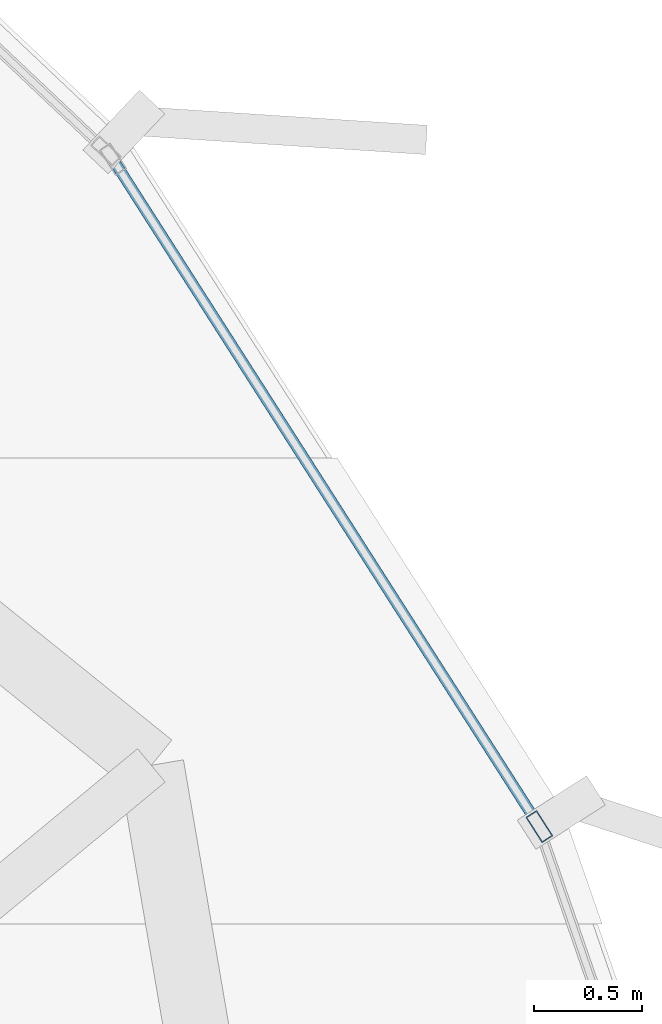
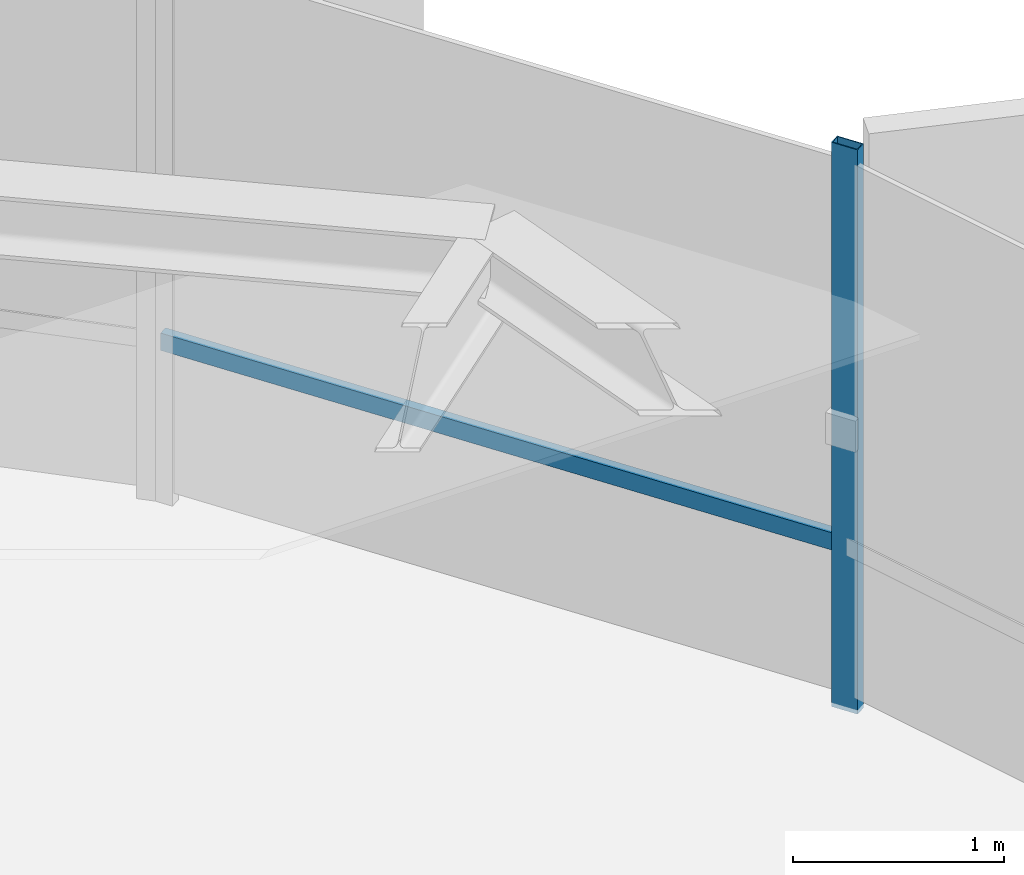
# One storey, part 25 of 35: 2 members, 1 element without a shape of its own.
"""IFC4 building model written with IfcOpenShell, lengths in metres."""

from ifc_helpers import new_model, si_unit, direction, frame, origin, origin_2d, place, context, subcontext, project, spatial, hollow_rectangle, extrude, source, transform, mapped, material, layer, layer_set, material_profile, profile_set, type_object, element, aggregate, save


model = new_model("IFC4")

# Units and contexts
model_context = context("Model", 3, precision=1e-05, world=origin(), true_north=direction((0.0, 1.0)))
body_context = subcontext(model_context, "Body", "Model", "MODEL_VIEW")
ifc_project = project(units=[si_unit("LENGTHUNIT", "METRE"), si_unit("AREAUNIT", "SQUARE_METRE"), si_unit("VOLUMEUNIT", "CUBIC_METRE"), si_unit("PLANEANGLEUNIT", "RADIAN"), si_unit("MASSUNIT", "GRAM", prefix="KILO"), si_unit("THERMODYNAMICTEMPERATUREUNIT", "KELVIN")], contexts=[model_context])

# Site, building, storey
site_placement = place(None, origin())
site = spatial("IfcSite", under=ifc_project, at=site_placement, CompositionType="ELEMENT")
building_placement = place(site_placement, origin())
building = spatial("IfcBuilding", under=site, at=building_placement, Name="Kethvar Cultural Tower", CompositionType="ELEMENT")
storey_placement = place(building_placement, frame((0.0, 0.0, 193.89990234375)))
storey = spatial("IfcBuildingStorey", under=building, at=storey_placement, Name="L50", CompositionType="ELEMENT", Elevation=193.89990234375)

# Curtain wall, members
ifc_material = material(Name="Aluminium 6063-T6", Category="aluminium")
ifc_layer = layer(ifc_material, 0.179931640625, Name="Aluminium 6063-T6", Category="aluminium")
ifc_layer_set = layer_set([ifc_layer], Name="Aluminium 6063-T6 (180 mm)")
curtain_wall_type = type_object("IfcCurtainWallType", Name="CW-SYS-04-Z34", PredefinedType="NOTDEFINED", material=ifc_layer_set)
curtain_wall_placement = place(storey_placement, origin())
curtain_wall = element("IfcCurtainWall", 1, at=curtain_wall_placement, inside=storey, type_object=curtain_wall_type, Name="L50 Curtain Wall Run 06", PredefinedType="NOTDEFINED")
ifc_material_profile_1 = material_profile(ifc_material, hollow_rectangle(XDim=0.06005859375, YDim=0.139892578125, WallThickness=0.0048828125, at=origin_2d()), Name="Aluminium 6063-T6 — RHS140x60x5")
ifc_profile_set_1 = profile_set([ifc_material_profile_1], Name="Aluminium 6063-T6 — RHS140x60x5")
member_type_1 = type_object("IfcMemberType", Name="CW-SYS-04-Z34-MUL", PredefinedType="MULLION", material=ifc_profile_set_1)
shared_shape_1 = source(origin(), body_context, "Body", "SweptSolid", [
    extrude(hollow_rectangle(XDim=0.06005859375, YDim=0.139892578125, WallThickness=0.0048828125, at=origin_2d()), origin(), (0.0, 0.0, 1.0), 3.260009765625),
])
member_1_placement = place(storey_placement, frame((69.7587890625, 42.0556640625, 0.0), z_axis=(0.0, 0.0, 1.0), x_axis=(-0.842631013841, -0.538491387594, 0.0)))
member_1 = element("IfcMember", 2, at=member_1_placement, type_object=member_type_1, Name="CW-L50-R06 Mullion 6", PredefinedType="MULLION", context=body_context, shape_type="MappedRepresentation", body=[
    mapped(shared_shape_1, transform((0.0, 0.0, 0.0), scale=1.0)),
])
ifc_material_profile_2 = material_profile(ifc_material, hollow_rectangle(XDim=0.050048828125, YDim=0.10009765625, WallThickness=0.00390625, at=origin_2d()), Name="Aluminium 6063-T6 — RHS100x50x4")
ifc_profile_set_2 = profile_set([ifc_material_profile_2], Name="Aluminium 6063-T6 — RHS100x50x4")
member_type_2 = type_object("IfcMemberType", Name="CW-SYS-04-Z34-TRN", PredefinedType="USERDEFINED", material=ifc_profile_set_2)
shared_shape_2 = source(origin(), body_context, "Body", "SweptSolid", [
    extrude(hollow_rectangle(XDim=0.050048828125, YDim=0.10009765625, WallThickness=0.00390625, at=origin_2d()), origin(), (0.0, 0.0, 1.0), 3.605224609375),
])
member_2_placement = place(storey_placement, frame((69.735595703125, 42.092041015625, 0.9501953125), z_axis=(-0.538500145794, 0.842625416766, 0.0), x_axis=(-0.842625416766, -0.538500145794, 0.0)))
member_2 = element("IfcMember", 3, at=member_2_placement, type_object=member_type_2, Name="CW-L50-R06 Transom 6", ObjectType="TRANSOM", PredefinedType="USERDEFINED", context=body_context, shape_type="MappedRepresentation", body=[
    mapped(shared_shape_2, transform((0.0, 0.0, 0.0), scale=1.0)),
])
aggregate(curtain_wall, [member_1, member_2])

save(model, "model.ifc")
